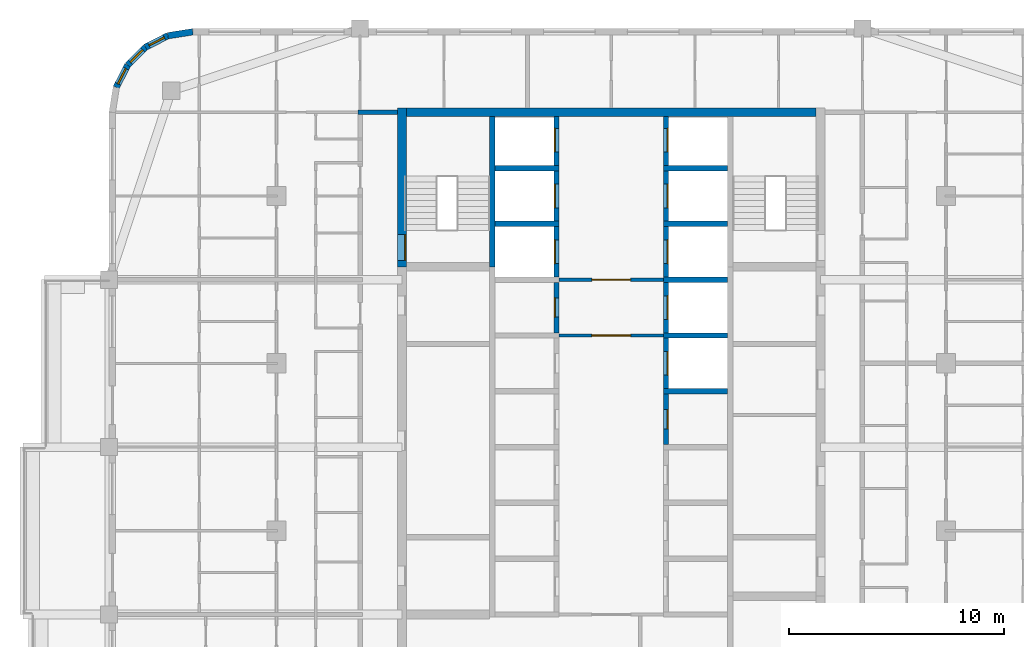
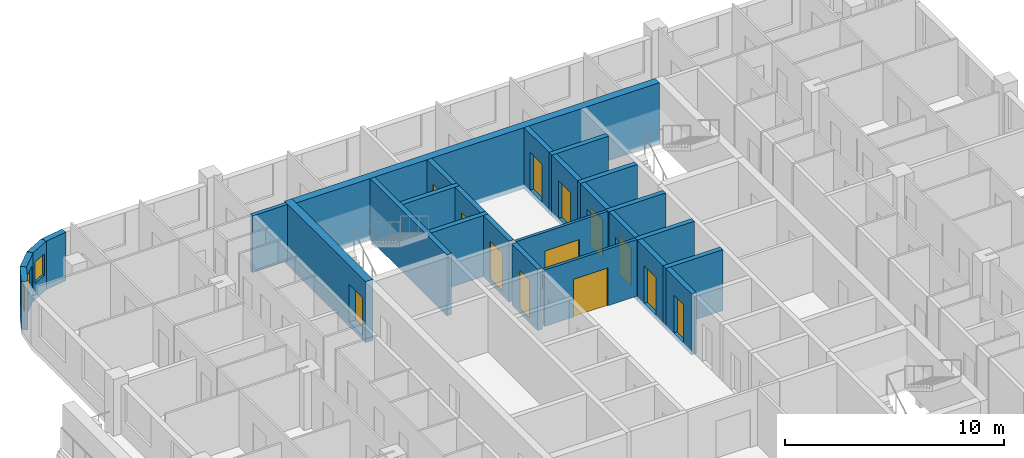
# One storey, part 9 of 17: 27 walls, 13 doors, 3 windows, 16 openings.
"""IFC4 building model written with IfcOpenShell, lengths in metres."""

from ifc_helpers import new_model, si_unit, direction, frame, frame_2d, origin, place, context, subcontext, project, spatial, rectangle, extrude, material, layer, layer_set, type_object, element, fill, save


model = new_model("IFC4")

# Units and contexts
model_context = context("Model", 3, precision=1e-05, world=origin(), true_north=direction((0.0, 1.0)))
body_context = subcontext(model_context, "Body", "Model", "MODEL_VIEW")
ifc_project = project(units=[si_unit("LENGTHUNIT", "METRE"), si_unit("AREAUNIT", "SQUARE_METRE"), si_unit("VOLUMEUNIT", "CUBIC_METRE"), si_unit("PLANEANGLEUNIT", "RADIAN"), si_unit("MASSUNIT", "GRAM", prefix="KILO")], contexts=[model_context])

# Site, building, storey
site_placement = place(None, origin())
site = spatial("IfcSite", under=ifc_project, at=site_placement, CompositionType="ELEMENT")
building_placement = place(site_placement, origin())
building = spatial("IfcBuilding", under=site, at=building_placement, Name="Ludao Terraces", CompositionType="ELEMENT")
storey_placement = place(building_placement, frame((0.0, 0.0, 210.89990234375)))
storey = spatial("IfcBuildingStorey", under=building, at=storey_placement, Name="L57", CompositionType="ELEMENT", Elevation=210.89990234375)

# Wall, opening, door
ifc_material_1 = material(Name="Concrete C50", Category="concrete")
ifc_layer_1 = layer(ifc_material_1, 0.39990234375)
ifc_layer_set_1 = layer_set([ifc_layer_1], Name="Core wall 400 C50")
wall_type_1 = type_object("IfcWallType", Name="Core wall 400 C50", PredefinedType="SOLIDWALL", material=ifc_layer_set_1)
wall_1_placement = place(storey_placement, frame((75.25, 77.300048828125, -0.25), z_axis=(0.0, 0.0, 1.0), x_axis=(0.0, 1.0, 0.0)))
wall_1 = element("IfcWall", 1, at=wall_1_placement, inside=storey, type_object=wall_type_1, Name="Core wall L57 outer-W-S1", PredefinedType="SOLIDWALL", context=body_context, shape_type="SweptSolid", body=[
    extrude(rectangle(XDim=7.39990234375, YDim=0.39990234375, at=frame_2d((3.699951171875, 0.0))), origin(), (0.0, 0.0, 1.0), 3.400146484375),
])
opening_1_placement = place(wall_1_placement, frame((0.300048828125, 0.0, 0.25)))
opening_1 = element("IfcOpeningElement", 2, at=opening_1_placement, cuts=wall_1, Name="Opening R20-109", PredefinedType="OPENING", context=body_context, shape_type="SweptSolid", body=[
    extrude(rectangle(XDim=1.199951171875, YDim=2.10009765625, at=frame_2d((0.60009765625, 1.050048828125))), frame((0.0, 0.2099609375, 0.0), z_axis=(0.0, -1.0, 0.0), x_axis=(1.0, 0.0, 0.0)), (0.0, 0.0, 1.0), 0.419921875),
])
ifc_material_2 = material(Name="Steel Q235", Category="steel")
door_type_1 = type_object("IfcDoorType", Name="INT Stair door 1200", OperationType="DOUBLE_DOOR_SINGLE_SWING", PredefinedType="DOOR", material=ifc_material_2)
door_1_placement = place(opening_1_placement, origin())
door_1 = element("IfcDoor", 3, at=door_1_placement, inside=storey, type_object=door_type_1, Name="DOOR 109", OperationType="DOUBLE_DOOR_SINGLE_SWING", OverallHeight=2.10009765625, OverallWidth=1.199951171875, PredefinedType="DOOR", context=body_context, shape_type="SweptSolid", body=[
    extrude(rectangle(XDim=1.199951171875, YDim=2.10009765625, at=frame_2d((0.60009765625, 1.050048828125))), frame((0.0, -0.134765625, 0.0), z_axis=(0.0, -1.0, 0.0), x_axis=(1.0, 0.0, 0.0)), (0.0, 0.0, 1.0), 0.050048828125),
])
fill(opening_1, door_1)

# Walls
wall_2_placement = place(storey_placement, frame((75.449951171875, 84.5, -0.25), z_axis=(0.0, 0.0, 1.0), x_axis=(1.0, 0.0, 0.0)))
element("IfcWall", 4, at=wall_2_placement, inside=storey, type_object=wall_type_1, Name="Core wall L57 outer-N", PredefinedType="SOLIDWALL", context=body_context, shape_type="SweptSolid", body=[
    extrude(rectangle(XDim=19.10009765625, YDim=0.39990234375, at=frame_2d((9.550048828125, 0.0))), origin(), (0.0, 0.0, 1.0), 3.400146484375),
])
ifc_material_3 = material(Name="Granite cladding", Category="masonry")
ifc_layer_2 = layer(ifc_material_3, 0.0400390625, Category="stone")
ifc_material_4 = material(Name="Mineral wool")
ifc_layer_3 = layer(ifc_material_4, 0.06005859375)
ifc_material_5 = material(Name="Concrete C40", Category="concrete")
ifc_layer_4 = layer(ifc_material_5, 0.199951171875, Category="concrete")
ifc_layer_set_2 = layer_set([ifc_layer_2, ifc_layer_3, ifc_layer_4], Name="ENV Stone-clad wall 300")
wall_type_2 = type_object("IfcWallType", Name="ENV Stone-clad wall 300", PredefinedType="SOLIDWALL", material=ifc_layer_set_2)
wall_3_placement = place(storey_placement, frame((65.5, 88.25, 0.0), z_axis=(0.0, 0.0, 1.0), x_axis=(-0.987678452879, -0.156496880861, 0.0)))
element("IfcWall", 5, at=wall_3_placement, inside=storey, type_object=wall_type_2, Name="EW-L57-NW1", PredefinedType="SOLIDWALL", context=body_context, shape_type="SweptSolid", body=[
    extrude(rectangle(XDim=1.173095703125, YDim=0.300048828125, at=frame_2d((0.58642578125, 0.0))), origin(), (0.0, 0.0, 1.0), 2.7001953125),
])

# Wall, opening, window
wall_4_placement = place(storey_placement, frame((64.34130859375, 88.06640625, 0.0), z_axis=(0.0, 0.0, 1.0), x_axis=(-0.890988677504, -0.454025524128, 0.0)))
wall_4 = element("IfcWall", 6, at=wall_4_placement, inside=storey, type_object=wall_type_2, Name="EW-L57-NW2", PredefinedType="SOLIDWALL", context=body_context, shape_type="SweptSolid", body=[
    extrude(rectangle(XDim=1.17333984375, YDim=0.300048828125, at=frame_2d((0.586669921875, 0.0))), origin(), (0.0, 0.0, 1.0), 2.7001953125),
])
opening_2_placement = place(wall_4_placement, frame((0.1865234375, 0.0, 0.89990234375)))
opening_2 = element("IfcOpeningElement", 7, at=opening_2_placement, cuts=wall_4, Name="Opening W3", PredefinedType="OPENING", context=body_context, shape_type="SweptSolid", body=[
    extrude(rectangle(XDim=0.800048828125, YDim=1.199951171875, at=frame_2d((0.39990234375, 0.60009765625))), frame((0.0, 0.16015625, 0.0), z_axis=(0.0, -1.0, 0.0), x_axis=(1.0, 0.0, 0.0)), (0.0, 0.0, 1.0), 0.320068359375),
])
ifc_material_6 = material(Name="Clear glass in aluminium frame", Category="aluminium")
ifc_layer_5 = layer(ifc_material_6, 0.06005859375)
ifc_layer_set_3 = layer_set([ifc_layer_5], Name="ENV Window W3 800x1200")
window_type = type_object("IfcWindowType", Name="ENV Window W3 800x1200", PartitioningType="SINGLE_PANEL", PredefinedType="WINDOW", material=ifc_layer_set_3)
window_1_placement = place(opening_2_placement, origin())
window_1 = element("IfcWindow", 8, at=window_1_placement, inside=storey, type_object=window_type, Name="W-L57-NW2", OverallHeight=1.199951171875, OverallWidth=0.800048828125, PartitioningType="SINGLE_PANEL", PredefinedType="WINDOW", context=body_context, shape_type="SweptSolid", body=[
    extrude(rectangle(XDim=0.800048828125, YDim=1.199951171875, at=frame_2d((0.39990234375, 0.60009765625))), frame((0.0, 0.030029296875, 0.0), z_axis=(0.0, -1.0, 0.0), x_axis=(1.0, 0.0, 0.0)), (0.0, 0.0, 1.0), 0.06005859375),
])
fill(opening_2, window_1)

wall_5_placement = place(storey_placement, frame((63.2958984375, 87.53369140625, 0.0), z_axis=(0.0, 0.0, 1.0), x_axis=(-0.707106781187, -0.707106781187, 0.0)))
wall_5 = element("IfcWall", 9, at=wall_5_placement, inside=storey, type_object=wall_type_2, Name="EW-L57-NW3", PredefinedType="SOLIDWALL", context=body_context, shape_type="SweptSolid", body=[
    extrude(rectangle(XDim=1.173095703125, YDim=0.300048828125, at=frame_2d((0.58642578125, 0.0))), origin(), (0.0, 0.0, 1.0), 2.7001953125),
])
opening_3_placement = place(wall_5_placement, frame((0.1865234375, 0.0, 0.89990234375)))
opening_3 = element("IfcOpeningElement", 10, at=opening_3_placement, cuts=wall_5, Name="Opening W3", PredefinedType="OPENING", context=body_context, shape_type="SweptSolid", body=[
    extrude(rectangle(XDim=0.800048828125, YDim=1.199951171875, at=frame_2d((0.39990234375, 0.60009765625))), frame((0.0, 0.16015625, 0.0), z_axis=(0.0, -1.0, 0.0), x_axis=(1.0, 0.0, 0.0)), (0.0, 0.0, 1.0), 0.320068359375),
])
window_2_placement = place(opening_3_placement, origin())
window_2 = element("IfcWindow", 11, at=window_2_placement, inside=storey, type_object=window_type, Name="W-L57-NW3", OverallHeight=1.199951171875, OverallWidth=0.800048828125, PartitioningType="SINGLE_PANEL", PredefinedType="WINDOW", context=body_context, shape_type="SweptSolid", body=[
    extrude(rectangle(XDim=0.800048828125, YDim=1.199951171875, at=frame_2d((0.39990234375, 0.60009765625))), frame((0.0, 0.030029296875, 0.0), z_axis=(0.0, -1.0, 0.0), x_axis=(1.0, 0.0, 0.0)), (0.0, 0.0, 1.0), 0.06005859375),
])
fill(opening_3, window_2)

wall_6_placement = place(storey_placement, frame((62.46630859375, 86.7041015625, 0.0), z_axis=(0.0, 0.0, 1.0), x_axis=(-0.454025524128, -0.890988677504, 0.0)))
wall_6 = element("IfcWall", 12, at=wall_6_placement, inside=storey, type_object=wall_type_2, Name="EW-L57-NW4", PredefinedType="SOLIDWALL", context=body_context, shape_type="SweptSolid", body=[
    extrude(rectangle(XDim=1.17333984375, YDim=0.300048828125, at=frame_2d((0.586669921875, 0.0))), origin(), (0.0, 0.0, 1.0), 2.7001953125),
])
opening_4_placement = place(wall_6_placement, frame((0.1865234375, 0.0, 0.89990234375)))
opening_4 = element("IfcOpeningElement", 13, at=opening_4_placement, cuts=wall_6, Name="Opening W3", PredefinedType="OPENING", context=body_context, shape_type="SweptSolid", body=[
    extrude(rectangle(XDim=0.800048828125, YDim=1.199951171875, at=frame_2d((0.39990234375, 0.60009765625))), frame((0.0, 0.16015625, 0.0), z_axis=(0.0, -1.0, 0.0), x_axis=(1.0, 0.0, 0.0)), (0.0, 0.0, 1.0), 0.320068359375),
])
window_3_placement = place(opening_4_placement, origin())
window_3 = element("IfcWindow", 14, at=window_3_placement, inside=storey, type_object=window_type, Name="W-L57-NW4", OverallHeight=1.199951171875, OverallWidth=0.800048828125, PartitioningType="SINGLE_PANEL", PredefinedType="WINDOW", context=body_context, shape_type="SweptSolid", body=[
    extrude(rectangle(XDim=0.800048828125, YDim=1.199951171875, at=frame_2d((0.39990234375, 0.60009765625))), frame((0.0, 0.030029296875, 0.0), z_axis=(0.0, -1.0, 0.0), x_axis=(1.0, 0.0, 0.0)), (0.0, 0.0, 1.0), 0.06005859375),
])
fill(opening_4, window_3)

# Wall, opening, door
ifc_material_7 = material(Name="Fire-rated gypsum plasterboard", Category="gypsum")
ifc_layer_6 = layer(ifc_material_7, 0.012451171875, Category="gypsum")
ifc_layer_7 = layer(ifc_material_4, 0.10009765625, Name="insulation")
ifc_layer_8 = layer(ifc_material_2, 0.02490234375, Name="stud")
ifc_layer_9 = layer(ifc_material_7, 0.012451171875, Category="gypsum")
ifc_layer_set_4 = layer_set([ifc_layer_6, ifc_layer_7, ifc_layer_8, ifc_layer_9], Name="INT Core partition 150")
wall_type_3 = type_object("IfcWallType", Name="INT Core partition 150", PredefinedType="PARTITIONING", material=ifc_layer_set_4)
wall_7_placement = place(storey_placement, frame((82.5751953125, 74.10009765625, 0.0), z_axis=(0.0, 0.0, 1.0), x_axis=(1.0, 0.0, 0.0)))
wall_7 = element("IfcWall", 15, at=wall_7_placement, inside=storey, type_object=wall_type_3, Name="PW-L57-PW047", PredefinedType="PARTITIONING", context=body_context, shape_type="SweptSolid", body=[
    extrude(rectangle(XDim=4.849853515625, YDim=0.14990234375, at=frame_2d((2.4248046875, 0.0))), origin(), (0.0, 0.0, 1.0), 3.150146484375),
])
opening_5_placement = place(wall_7_placement, frame((1.52490234375, 0.0, 0.0)))
opening_5 = element("IfcOpeningElement", 16, at=opening_5_placement, cuts=wall_7, Name="Opening R20-091", PredefinedType="OPENING", context=body_context, shape_type="SweptSolid", body=[
    extrude(rectangle(XDim=1.800048828125, YDim=2.10009765625, at=frame_2d((0.89990234375, 1.050048828125))), frame((0.0, 0.0849609375, 0.0), z_axis=(0.0, -1.0, 0.0), x_axis=(1.0, 0.0, 0.0)), (0.0, 0.0, 1.0), 0.169921875),
])
door_type_2 = type_object("IfcDoorType", Name="INT Fire lobby door 1800", OperationType="DOUBLE_DOOR_SINGLE_SWING", PredefinedType="DOOR", material=ifc_material_2)
door_2_placement = place(opening_5_placement, origin())
door_2 = element("IfcDoor", 17, at=door_2_placement, inside=storey, type_object=door_type_2, Name="DOOR 091", OperationType="DOUBLE_DOOR_SINGLE_SWING", OverallHeight=2.10009765625, OverallWidth=1.800048828125, PredefinedType="DOOR", context=body_context, shape_type="SweptSolid", body=[
    extrude(rectangle(XDim=1.800048828125, YDim=2.10009765625, at=frame_2d((0.89990234375, 1.050048828125))), frame((0.0, 0.02490234375, 0.0), z_axis=(0.0, -1.0, 0.0), x_axis=(1.0, 0.0, 0.0)), (0.0, 0.0, 1.0), 0.050048828125),
])
fill(opening_5, door_2)

wall_8_placement = place(storey_placement, frame((82.5751953125, 76.699951171875, 0.0), z_axis=(0.0, 0.0, 1.0), x_axis=(1.0, 0.0, 0.0)))
wall_8 = element("IfcWall", 18, at=wall_8_placement, inside=storey, type_object=wall_type_3, Name="PW-L57-PW053", PredefinedType="PARTITIONING", context=body_context, shape_type="SweptSolid", body=[
    extrude(rectangle(XDim=4.849853515625, YDim=0.14990234375, at=frame_2d((2.4248046875, 0.0))), origin(), (0.0, 0.0, 1.0), 3.150146484375),
])
opening_6_placement = place(wall_8_placement, frame((1.52490234375, 0.0, 0.0)))
opening_6 = element("IfcOpeningElement", 19, at=opening_6_placement, cuts=wall_8, Name="Opening R20-104", PredefinedType="OPENING", context=body_context, shape_type="SweptSolid", body=[
    extrude(rectangle(XDim=1.800048828125, YDim=2.10009765625, at=frame_2d((0.89990234375, 1.050048828125))), frame((0.0, 0.0849609375, 0.0), z_axis=(0.0, -1.0, 0.0), x_axis=(1.0, 0.0, 0.0)), (0.0, 0.0, 1.0), 0.169921875),
])
door_3_placement = place(opening_6_placement, origin())
door_3 = element("IfcDoor", 20, at=door_3_placement, inside=storey, type_object=door_type_2, Name="DOOR 104", OperationType="DOUBLE_DOOR_SINGLE_SWING", OverallHeight=2.10009765625, OverallWidth=1.800048828125, PredefinedType="DOOR", context=body_context, shape_type="SweptSolid", body=[
    extrude(rectangle(XDim=1.800048828125, YDim=2.10009765625, at=frame_2d((0.89990234375, 1.050048828125))), frame((0.0, 0.02490234375, 0.0), z_axis=(0.0, -1.0, 0.0), x_axis=(1.0, 0.0, 0.0)), (0.0, 0.0, 1.0), 0.050048828125),
])
fill(opening_6, door_3)

# Walls
ifc_material_8 = material(Name="Autoclaved aerated concrete block B06 A3.5", Category="concrete")
ifc_layer_10 = layer(ifc_material_8, 0.199951171875)
ifc_layer_set_5 = layer_set([ifc_layer_10], Name="INT Entrance wall 200")
wall_type_4 = type_object("IfcWallType", Name="INT Entrance wall 200", PredefinedType="PARTITIONING", material=ifc_layer_set_5)
wall_9_placement = place(storey_placement, frame((73.2001953125, 84.5, 0.0), z_axis=(0.0, 0.0, 1.0), x_axis=(1.0, 0.0, 0.0)))
element("IfcWall", 21, at=wall_9_placement, inside=storey, type_object=wall_type_4, Name="PW-L57-PW067", PredefinedType="PARTITIONING", context=body_context, shape_type="SweptSolid", body=[
    extrude(rectangle(XDim=1.849853515625, YDim=0.199951171875, at=frame_2d((0.9248046875, 0.0))), origin(), (0.0, 0.0, 1.0), 3.150146484375),
])
ifc_layer_11 = layer(ifc_material_1, 0.25)
ifc_layer_set_6 = layer_set([ifc_layer_11], Name="Shaft wall 250 C50")
wall_type_5 = type_object("IfcWallType", Name="Shaft wall 250 C50", PredefinedType="SOLIDWALL", material=ifc_layer_set_6)
wall_10_placement = place(storey_placement, frame((79.449951171875, 77.300048828125, -0.25), z_axis=(0.0, 0.0, 1.0), x_axis=(0.0, 1.0, 0.0)))
element("IfcWall", 22, at=wall_10_placement, inside=storey, type_object=wall_type_5, Name="Core wall L57 back-W-S1", PredefinedType="SOLIDWALL", context=body_context, shape_type="SweptSolid", body=[
    extrude(rectangle(XDim=7.0, YDim=0.25, at=frame_2d((3.5, 0.0))), origin(), (0.0, 0.0, 1.0), 3.400146484375),
])

# Wall, opening, door
wall_11_placement = place(storey_placement, frame((82.449951171875, 74.22509765625, -0.25), z_axis=(0.0, 0.0, 1.0), x_axis=(0.0, 1.0, 0.0)))
wall_11 = element("IfcWall", 23, at=wall_11_placement, inside=storey, type_object=wall_type_5, Name="Core wall L57 front-W6", PredefinedType="SOLIDWALL", context=body_context, shape_type="SweptSolid", body=[
    extrude(rectangle(XDim=2.349853515625, YDim=0.25, at=frame_2d((1.1748046875, 0.0))), origin(), (0.0, 0.0, 1.0), 3.400146484375),
])
opening_7_placement = place(wall_11_placement, frame((0.72509765625, 0.0, 0.25)))
opening_7 = element("IfcOpeningElement", 24, at=opening_7_placement, cuts=wall_11, Name="Opening R20-094", PredefinedType="OPENING", context=body_context, shape_type="SweptSolid", body=[
    extrude(rectangle(XDim=0.89990234375, YDim=2.10009765625, at=frame_2d((0.449951171875, 1.050048828125))), frame((0.0, 0.135009765625, 0.0), z_axis=(0.0, -1.0, 0.0), x_axis=(1.0, 0.0, 0.0)), (0.0, 0.0, 1.0), 0.27001953125),
])
ifc_material_9 = material(Name="Timber door leaf", Category="wood")
door_type_3 = type_object("IfcDoorType", Name="INT Room door 900", OperationType="SINGLE_SWING_LEFT", PredefinedType="DOOR", material=ifc_material_9)
door_4_placement = place(opening_7_placement, origin())
door_4 = element("IfcDoor", 25, at=door_4_placement, inside=storey, type_object=door_type_3, Name="DOOR 094", OperationType="SINGLE_SWING_LEFT", OverallHeight=2.10009765625, OverallWidth=0.89990234375, PredefinedType="DOOR", context=body_context, shape_type="SweptSolid", body=[
    extrude(rectangle(XDim=0.89990234375, YDim=2.10009765625, at=frame_2d((0.449951171875, 1.050048828125))), frame((0.0, 0.10986328125, 0.0), z_axis=(0.0, -1.0, 0.0), x_axis=(1.0, 0.0, 0.0)), (0.0, 0.0, 1.0), 0.050048828125),
])
fill(opening_7, door_4)

wall_12_placement = place(storey_placement, frame((82.449951171875, 76.824951171875, -0.25), z_axis=(0.0, 0.0, 1.0), x_axis=(0.0, 1.0, 0.0)))
wall_12 = element("IfcWall", 26, at=wall_12_placement, inside=storey, type_object=wall_type_5, Name="Core wall L57 front-W7", PredefinedType="SOLIDWALL", context=body_context, shape_type="SweptSolid", body=[
    extrude(rectangle(XDim=2.35009765625, YDim=0.25, at=frame_2d((1.175048828125, 0.0))), origin(), (0.0, 0.0, 1.0), 3.400146484375),
])
opening_8_placement = place(wall_12_placement, frame((0.625, 0.0, 0.25)))
opening_8 = element("IfcOpeningElement", 27, at=opening_8_placement, cuts=wall_12, Name="Opening LD-FF1", PredefinedType="OPENING", context=body_context, shape_type="SweptSolid", body=[
    extrude(rectangle(XDim=1.10009765625, YDim=2.10009765625, at=frame_2d((0.550048828125, 1.050048828125))), frame((0.0, 0.135009765625, 0.0), z_axis=(0.0, -1.0, 0.0), x_axis=(1.0, 0.0, 0.0)), (0.0, 0.0, 1.0), 0.27001953125),
])
ifc_material_10 = material(Name="Stainless steel 304", Category="steel")
door_type_4 = type_object("IfcDoorType", Name="INT Lift landing door 1100", OperationType="SLIDING_TO_LEFT", PredefinedType="DOOR", material=ifc_material_10)
door_5_placement = place(opening_8_placement, origin())
door_5 = element("IfcDoor", 28, at=door_5_placement, inside=storey, type_object=door_type_4, Name="LANDING DOOR FF1 L57", OperationType="SLIDING_TO_LEFT", OverallHeight=2.10009765625, OverallWidth=1.10009765625, PredefinedType="DOOR", context=body_context, shape_type="SweptSolid", body=[
    extrude(rectangle(XDim=1.10009765625, YDim=2.10009765625, at=frame_2d((0.550048828125, 1.050048828125))), frame((0.0, 0.10986328125, 0.0), z_axis=(0.0, -1.0, 0.0), x_axis=(1.0, 0.0, 0.0)), (0.0, 0.0, 1.0), 0.050048828125),
])
fill(opening_8, door_5)

# Wall
wall_13_placement = place(storey_placement, frame((79.574951171875, 79.300048828125, -0.25), z_axis=(0.0, 0.0, 1.0), x_axis=(1.0, 0.0, 0.0)))
element("IfcWall", 29, at=wall_13_placement, inside=storey, type_object=wall_type_5, Name="Core wall L57 div-W8", PredefinedType="SOLIDWALL", context=body_context, shape_type="SweptSolid", body=[
    extrude(rectangle(XDim=3.0, YDim=0.25, at=frame_2d((1.5, 0.0))), origin(), (0.0, 0.0, 1.0), 3.400146484375),
])

# Wall, opening, door
wall_14_placement = place(storey_placement, frame((82.449951171875, 79.425048828125, -0.25), z_axis=(0.0, 0.0, 1.0), x_axis=(0.0, 1.0, 0.0)))
wall_14 = element("IfcWall", 30, at=wall_14_placement, inside=storey, type_object=wall_type_5, Name="Core wall L57 front-W8", PredefinedType="SOLIDWALL", context=body_context, shape_type="SweptSolid", body=[
    extrude(rectangle(XDim=2.349853515625, YDim=0.25, at=frame_2d((1.1748046875, 0.0))), origin(), (0.0, 0.0, 1.0), 3.400146484375),
])
opening_9_placement = place(wall_14_placement, frame((0.625, 0.0, 0.25)))
opening_9 = element("IfcOpeningElement", 31, at=opening_9_placement, cuts=wall_14, Name="Opening LD-FF2", PredefinedType="OPENING", context=body_context, shape_type="SweptSolid", body=[
    extrude(rectangle(XDim=1.10009765625, YDim=2.10009765625, at=frame_2d((0.550048828125, 1.050048828125))), frame((0.0, 0.135009765625, 0.0), z_axis=(0.0, -1.0, 0.0), x_axis=(1.0, 0.0, 0.0)), (0.0, 0.0, 1.0), 0.27001953125),
])
door_6_placement = place(opening_9_placement, origin())
door_6 = element("IfcDoor", 32, at=door_6_placement, inside=storey, type_object=door_type_4, Name="LANDING DOOR FF2 L57", OperationType="SLIDING_TO_LEFT", OverallHeight=2.10009765625, OverallWidth=1.10009765625, PredefinedType="DOOR", context=body_context, shape_type="SweptSolid", body=[
    extrude(rectangle(XDim=1.10009765625, YDim=2.10009765625, at=frame_2d((0.550048828125, 1.050048828125))), frame((0.0, 0.10986328125, 0.0), z_axis=(0.0, -1.0, 0.0), x_axis=(1.0, 0.0, 0.0)), (0.0, 0.0, 1.0), 0.050048828125),
])
fill(opening_9, door_6)

# Wall
wall_15_placement = place(storey_placement, frame((79.574951171875, 81.89990234375, -0.25), z_axis=(0.0, 0.0, 1.0), x_axis=(1.0, 0.0, 0.0)))
element("IfcWall", 33, at=wall_15_placement, inside=storey, type_object=wall_type_5, Name="Core wall L57 div-W9", PredefinedType="SOLIDWALL", context=body_context, shape_type="SweptSolid", body=[
    extrude(rectangle(XDim=3.0, YDim=0.25, at=frame_2d((1.5, 0.0))), origin(), (0.0, 0.0, 1.0), 3.400146484375),
])

# Wall, opening, door
wall_16_placement = place(storey_placement, frame((82.449951171875, 82.02490234375, -0.25), z_axis=(0.0, 0.0, 1.0), x_axis=(0.0, 1.0, 0.0)))
wall_16 = element("IfcWall", 34, at=wall_16_placement, inside=storey, type_object=wall_type_5, Name="Core wall L57 front-W9", PredefinedType="SOLIDWALL", context=body_context, shape_type="SweptSolid", body=[
    extrude(rectangle(XDim=2.275146484375, YDim=0.25, at=frame_2d((1.1376953125, 0.0))), origin(), (0.0, 0.0, 1.0), 3.400146484375),
])
opening_10_placement = place(wall_16_placement, frame((0.625, 0.0, 0.25)))
opening_10 = element("IfcOpeningElement", 35, at=opening_10_placement, cuts=wall_16, Name="Opening LD-LB6", PredefinedType="OPENING", context=body_context, shape_type="SweptSolid", body=[
    extrude(rectangle(XDim=1.10009765625, YDim=2.10009765625, at=frame_2d((0.550048828125, 1.050048828125))), frame((0.0, 0.135009765625, 0.0), z_axis=(0.0, -1.0, 0.0), x_axis=(1.0, 0.0, 0.0)), (0.0, 0.0, 1.0), 0.27001953125),
])
door_7_placement = place(opening_10_placement, origin())
door_7 = element("IfcDoor", 36, at=door_7_placement, inside=storey, type_object=door_type_4, Name="LANDING DOOR LB6 L57", OperationType="SLIDING_TO_RIGHT", OverallHeight=2.10009765625, OverallWidth=1.10009765625, PredefinedType="DOOR", context=body_context, shape_type="SweptSolid", body=[
    extrude(rectangle(XDim=1.10009765625, YDim=2.10009765625, at=frame_2d((0.550048828125, 1.050048828125))), frame((0.0, 0.10986328125, 0.0), z_axis=(0.0, -1.0, 0.0), x_axis=(1.0, 0.0, 0.0)), (0.0, 0.0, 1.0), 0.050048828125),
])
fill(opening_10, door_7)

wall_17_placement = place(storey_placement, frame((87.550048828125, 69.02490234375, -0.25), z_axis=(0.0, 0.0, 1.0), x_axis=(0.0, 1.0, 0.0)))
wall_17 = element("IfcWall", 37, at=wall_17_placement, inside=storey, type_object=wall_type_5, Name="Core wall L57 front-E4", PredefinedType="SOLIDWALL", context=body_context, shape_type="SweptSolid", body=[
    extrude(rectangle(XDim=2.35009765625, YDim=0.25, at=frame_2d((1.175048828125, 0.0))), origin(), (0.0, 0.0, 1.0), 3.400146484375),
])
opening_11_placement = place(wall_17_placement, frame((0.72509765625, 0.0, 0.25)))
opening_11 = element("IfcOpeningElement", 38, at=opening_11_placement, cuts=wall_17, Name="Opening R20-079", PredefinedType="OPENING", context=body_context, shape_type="SweptSolid", body=[
    extrude(rectangle(XDim=0.89990234375, YDim=2.10009765625, at=frame_2d((0.449951171875, 1.050048828125))), frame((0.0, 0.135009765625, 0.0), z_axis=(0.0, -1.0, 0.0), x_axis=(1.0, 0.0, 0.0)), (0.0, 0.0, 1.0), 0.27001953125),
])
door_8_placement = place(opening_11_placement, origin())
door_8 = element("IfcDoor", 39, at=door_8_placement, inside=storey, type_object=door_type_3, Name="DOOR 079", OperationType="SINGLE_SWING_LEFT", OverallHeight=2.10009765625, OverallWidth=0.89990234375, PredefinedType="DOOR", context=body_context, shape_type="SweptSolid", body=[
    extrude(rectangle(XDim=0.89990234375, YDim=2.10009765625, at=frame_2d((0.449951171875, 1.050048828125))), frame((0.0, -0.06005859375, 0.0), z_axis=(0.0, -1.0, 0.0), x_axis=(1.0, 0.0, 0.0)), (0.0, 0.0, 1.0), 0.050048828125),
])
fill(opening_11, door_8)

# Wall
wall_18_placement = place(storey_placement, frame((87.425048828125, 71.5, -0.25), z_axis=(0.0, 0.0, 1.0), x_axis=(1.0, 0.0, 0.0)))
element("IfcWall", 40, at=wall_18_placement, inside=storey, type_object=wall_type_5, Name="Core wall L57 div-E5", PredefinedType="SOLIDWALL", context=body_context, shape_type="SweptSolid", body=[
    extrude(rectangle(XDim=3.0, YDim=0.25, at=frame_2d((1.5, 0.0))), origin(), (0.0, 0.0, 1.0), 3.400146484375),
])

# Wall, opening, door
wall_19_placement = place(storey_placement, frame((87.550048828125, 71.625, -0.25), z_axis=(0.0, 0.0, 1.0), x_axis=(0.0, 1.0, 0.0)))
wall_19 = element("IfcWall", 41, at=wall_19_placement, inside=storey, type_object=wall_type_5, Name="Core wall L57 front-E5", PredefinedType="SOLIDWALL", context=body_context, shape_type="SweptSolid", body=[
    extrude(rectangle(XDim=2.35009765625, YDim=0.25, at=frame_2d((1.175048828125, 0.0))), origin(), (0.0, 0.0, 1.0), 3.400146484375),
])
opening_12_placement = place(wall_19_placement, frame((0.625, 0.0, 0.25)))
opening_12 = element("IfcOpeningElement", 42, at=opening_12_placement, cuts=wall_19, Name="Opening LD-LB1", PredefinedType="OPENING", context=body_context, shape_type="SweptSolid", body=[
    extrude(rectangle(XDim=1.10009765625, YDim=2.10009765625, at=frame_2d((0.550048828125, 1.050048828125))), frame((0.0, 0.135009765625, 0.0), z_axis=(0.0, -1.0, 0.0), x_axis=(1.0, 0.0, 0.0)), (0.0, 0.0, 1.0), 0.27001953125),
])
door_9_placement = place(opening_12_placement, origin())
door_9 = element("IfcDoor", 43, at=door_9_placement, inside=storey, type_object=door_type_4, Name="LANDING DOOR LB1 L57", OperationType="SLIDING_TO_LEFT", OverallHeight=2.10009765625, OverallWidth=1.10009765625, PredefinedType="DOOR", context=body_context, shape_type="SweptSolid", body=[
    extrude(rectangle(XDim=1.10009765625, YDim=2.10009765625, at=frame_2d((0.550048828125, 1.050048828125))), frame((0.0, -0.06005859375, 0.0), z_axis=(0.0, -1.0, 0.0), x_axis=(1.0, 0.0, 0.0)), (0.0, 0.0, 1.0), 0.050048828125),
])
fill(opening_12, door_9)

# Wall
wall_20_placement = place(storey_placement, frame((87.425048828125, 74.10009765625, -0.25), z_axis=(0.0, 0.0, 1.0), x_axis=(1.0, 0.0, 0.0)))
element("IfcWall", 44, at=wall_20_placement, inside=storey, type_object=wall_type_5, Name="Core wall L57 div-E6", PredefinedType="SOLIDWALL", context=body_context, shape_type="SweptSolid", body=[
    extrude(rectangle(XDim=3.0, YDim=0.25, at=frame_2d((1.5, 0.0))), origin(), (0.0, 0.0, 1.0), 3.400146484375),
])

# Wall, opening, door
wall_21_placement = place(storey_placement, frame((87.550048828125, 74.22509765625, -0.25), z_axis=(0.0, 0.0, 1.0), x_axis=(0.0, 1.0, 0.0)))
wall_21 = element("IfcWall", 45, at=wall_21_placement, inside=storey, type_object=wall_type_5, Name="Core wall L57 front-E6", PredefinedType="SOLIDWALL", context=body_context, shape_type="SweptSolid", body=[
    extrude(rectangle(XDim=2.349853515625, YDim=0.25, at=frame_2d((1.1748046875, 0.0))), origin(), (0.0, 0.0, 1.0), 3.400146484375),
])
opening_13_placement = place(wall_21_placement, frame((0.625, 0.0, 0.25)))
opening_13 = element("IfcOpeningElement", 46, at=opening_13_placement, cuts=wall_21, Name="Opening LD-LB2", PredefinedType="OPENING", context=body_context, shape_type="SweptSolid", body=[
    extrude(rectangle(XDim=1.10009765625, YDim=2.10009765625, at=frame_2d((0.550048828125, 1.050048828125))), frame((0.0, 0.135009765625, 0.0), z_axis=(0.0, -1.0, 0.0), x_axis=(1.0, 0.0, 0.0)), (0.0, 0.0, 1.0), 0.27001953125),
])
door_10_placement = place(opening_13_placement, origin())
door_10 = element("IfcDoor", 47, at=door_10_placement, inside=storey, type_object=door_type_4, Name="LANDING DOOR LB2 L57", OperationType="SLIDING_TO_LEFT", OverallHeight=2.10009765625, OverallWidth=1.10009765625, PredefinedType="DOOR", context=body_context, shape_type="SweptSolid", body=[
    extrude(rectangle(XDim=1.10009765625, YDim=2.10009765625, at=frame_2d((0.550048828125, 1.050048828125))), frame((0.0, -0.06005859375, 0.0), z_axis=(0.0, -1.0, 0.0), x_axis=(1.0, 0.0, 0.0)), (0.0, 0.0, 1.0), 0.050048828125),
])
fill(opening_13, door_10)

# Wall
wall_22_placement = place(storey_placement, frame((87.425048828125, 76.699951171875, -0.25), z_axis=(0.0, 0.0, 1.0), x_axis=(1.0, 0.0, 0.0)))
element("IfcWall", 48, at=wall_22_placement, inside=storey, type_object=wall_type_5, Name="Core wall L57 div-E7", PredefinedType="SOLIDWALL", context=body_context, shape_type="SweptSolid", body=[
    extrude(rectangle(XDim=3.0, YDim=0.25, at=frame_2d((1.5, 0.0))), origin(), (0.0, 0.0, 1.0), 3.400146484375),
])

# Wall, opening, door
wall_23_placement = place(storey_placement, frame((87.550048828125, 76.824951171875, -0.25), z_axis=(0.0, 0.0, 1.0), x_axis=(0.0, 1.0, 0.0)))
wall_23 = element("IfcWall", 49, at=wall_23_placement, inside=storey, type_object=wall_type_5, Name="Core wall L57 front-E7", PredefinedType="SOLIDWALL", context=body_context, shape_type="SweptSolid", body=[
    extrude(rectangle(XDim=2.35009765625, YDim=0.25, at=frame_2d((1.175048828125, 0.0))), origin(), (0.0, 0.0, 1.0), 3.400146484375),
])
opening_14_placement = place(wall_23_placement, frame((0.625, 0.0, 0.25)))
opening_14 = element("IfcOpeningElement", 50, at=opening_14_placement, cuts=wall_23, Name="Opening LD-LB3", PredefinedType="OPENING", context=body_context, shape_type="SweptSolid", body=[
    extrude(rectangle(XDim=1.10009765625, YDim=2.10009765625, at=frame_2d((0.550048828125, 1.050048828125))), frame((0.0, 0.135009765625, 0.0), z_axis=(0.0, -1.0, 0.0), x_axis=(1.0, 0.0, 0.0)), (0.0, 0.0, 1.0), 0.27001953125),
])
door_11_placement = place(opening_14_placement, origin())
door_11 = element("IfcDoor", 51, at=door_11_placement, inside=storey, type_object=door_type_4, Name="LANDING DOOR LB3 L57", OperationType="SLIDING_TO_LEFT", OverallHeight=2.10009765625, OverallWidth=1.10009765625, PredefinedType="DOOR", context=body_context, shape_type="SweptSolid", body=[
    extrude(rectangle(XDim=1.10009765625, YDim=2.10009765625, at=frame_2d((0.550048828125, 1.050048828125))), frame((0.0, -0.06005859375, 0.0), z_axis=(0.0, -1.0, 0.0), x_axis=(1.0, 0.0, 0.0)), (0.0, 0.0, 1.0), 0.050048828125),
])
fill(opening_14, door_11)

# Wall
wall_24_placement = place(storey_placement, frame((87.425048828125, 79.300048828125, -0.25), z_axis=(0.0, 0.0, 1.0), x_axis=(1.0, 0.0, 0.0)))
element("IfcWall", 52, at=wall_24_placement, inside=storey, type_object=wall_type_5, Name="Core wall L57 div-E8", PredefinedType="SOLIDWALL", context=body_context, shape_type="SweptSolid", body=[
    extrude(rectangle(XDim=3.0, YDim=0.25, at=frame_2d((1.5, 0.0))), origin(), (0.0, 0.0, 1.0), 3.400146484375),
])

# Wall, opening, door
wall_25_placement = place(storey_placement, frame((87.550048828125, 79.425048828125, -0.25), z_axis=(0.0, 0.0, 1.0), x_axis=(0.0, 1.0, 0.0)))
wall_25 = element("IfcWall", 53, at=wall_25_placement, inside=storey, type_object=wall_type_5, Name="Core wall L57 front-E8", PredefinedType="SOLIDWALL", context=body_context, shape_type="SweptSolid", body=[
    extrude(rectangle(XDim=2.349853515625, YDim=0.25, at=frame_2d((1.1748046875, 0.0))), origin(), (0.0, 0.0, 1.0), 3.400146484375),
])
opening_15_placement = place(wall_25_placement, frame((0.625, 0.0, 0.25)))
opening_15 = element("IfcOpeningElement", 54, at=opening_15_placement, cuts=wall_25, Name="Opening LD-LB4", PredefinedType="OPENING", context=body_context, shape_type="SweptSolid", body=[
    extrude(rectangle(XDim=1.10009765625, YDim=2.10009765625, at=frame_2d((0.550048828125, 1.050048828125))), frame((0.0, 0.135009765625, 0.0), z_axis=(0.0, -1.0, 0.0), x_axis=(1.0, 0.0, 0.0)), (0.0, 0.0, 1.0), 0.27001953125),
])
door_12_placement = place(opening_15_placement, origin())
door_12 = element("IfcDoor", 55, at=door_12_placement, inside=storey, type_object=door_type_4, Name="LANDING DOOR LB4 L57", OperationType="SLIDING_TO_RIGHT", OverallHeight=2.10009765625, OverallWidth=1.10009765625, PredefinedType="DOOR", context=body_context, shape_type="SweptSolid", body=[
    extrude(rectangle(XDim=1.10009765625, YDim=2.10009765625, at=frame_2d((0.550048828125, 1.050048828125))), frame((0.0, -0.06005859375, 0.0), z_axis=(0.0, -1.0, 0.0), x_axis=(1.0, 0.0, 0.0)), (0.0, 0.0, 1.0), 0.050048828125),
])
fill(opening_15, door_12)

# Wall
wall_26_placement = place(storey_placement, frame((87.425048828125, 81.89990234375, -0.25), z_axis=(0.0, 0.0, 1.0), x_axis=(1.0, 0.0, 0.0)))
element("IfcWall", 56, at=wall_26_placement, inside=storey, type_object=wall_type_5, Name="Core wall L57 div-E9", PredefinedType="SOLIDWALL", context=body_context, shape_type="SweptSolid", body=[
    extrude(rectangle(XDim=3.0, YDim=0.25, at=frame_2d((1.5, 0.0))), origin(), (0.0, 0.0, 1.0), 3.400146484375),
])

# Wall, opening, door
wall_27_placement = place(storey_placement, frame((87.550048828125, 82.02490234375, -0.25), z_axis=(0.0, 0.0, 1.0), x_axis=(0.0, 1.0, 0.0)))
wall_27 = element("IfcWall", 57, at=wall_27_placement, inside=storey, type_object=wall_type_5, Name="Core wall L57 front-E9", PredefinedType="SOLIDWALL", context=body_context, shape_type="SweptSolid", body=[
    extrude(rectangle(XDim=2.275146484375, YDim=0.25, at=frame_2d((1.1376953125, 0.0))), origin(), (0.0, 0.0, 1.0), 3.400146484375),
])
opening_16_placement = place(wall_27_placement, frame((0.625, 0.0, 0.25)))
opening_16 = element("IfcOpeningElement", 58, at=opening_16_placement, cuts=wall_27, Name="Opening LD-LB5", PredefinedType="OPENING", context=body_context, shape_type="SweptSolid", body=[
    extrude(rectangle(XDim=1.10009765625, YDim=2.10009765625, at=frame_2d((0.550048828125, 1.050048828125))), frame((0.0, 0.135009765625, 0.0), z_axis=(0.0, -1.0, 0.0), x_axis=(1.0, 0.0, 0.0)), (0.0, 0.0, 1.0), 0.27001953125),
])
door_13_placement = place(opening_16_placement, origin())
door_13 = element("IfcDoor", 59, at=door_13_placement, inside=storey, type_object=door_type_4, Name="LANDING DOOR LB5 L57", OperationType="SLIDING_TO_RIGHT", OverallHeight=2.10009765625, OverallWidth=1.10009765625, PredefinedType="DOOR", context=body_context, shape_type="SweptSolid", body=[
    extrude(rectangle(XDim=1.10009765625, YDim=2.10009765625, at=frame_2d((0.550048828125, 1.050048828125))), frame((0.0, -0.06005859375, 0.0), z_axis=(0.0, -1.0, 0.0), x_axis=(1.0, 0.0, 0.0)), (0.0, 0.0, 1.0), 0.050048828125),
])
fill(opening_16, door_13)

save(model, "model.ifc")
